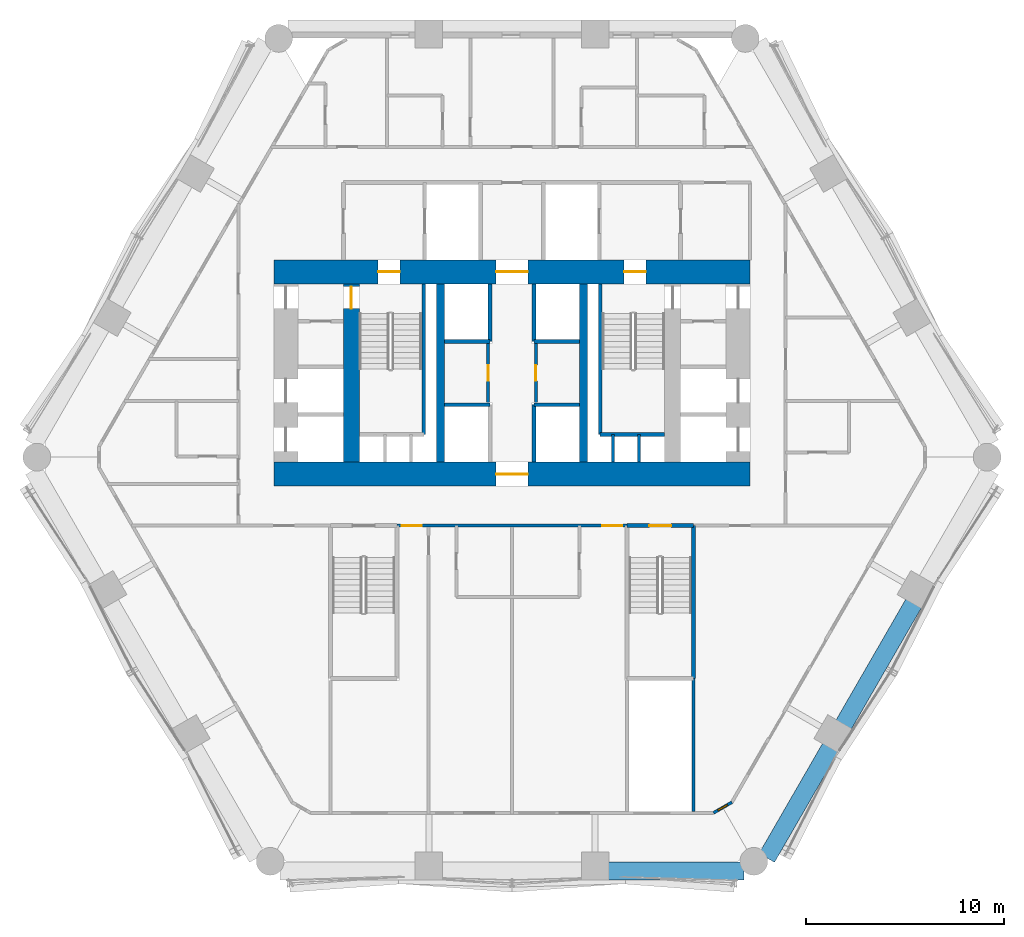
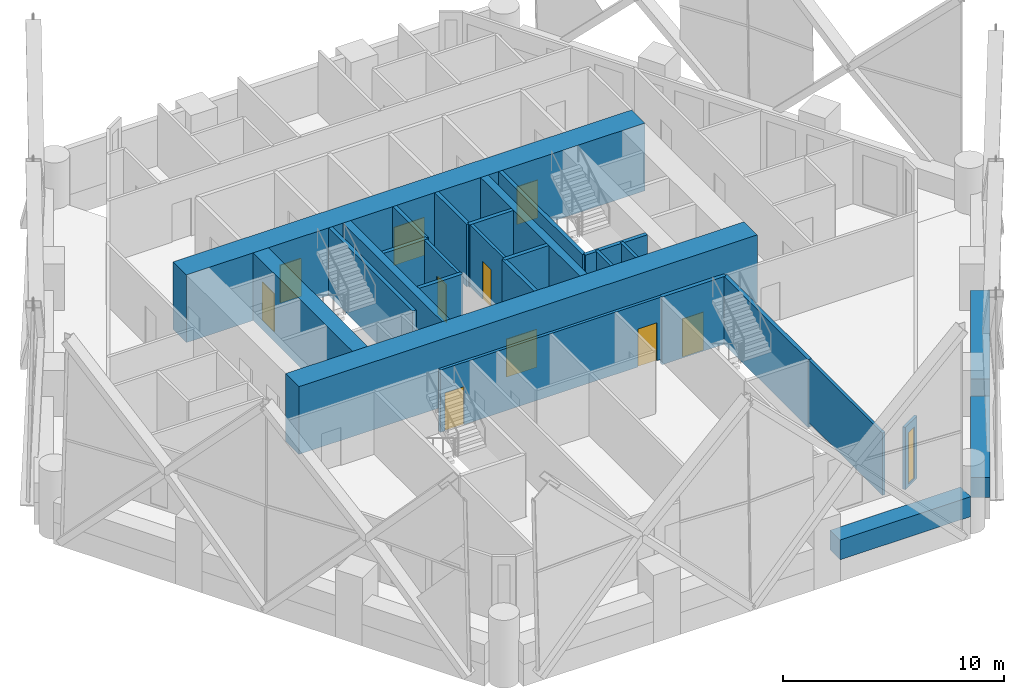
# One storey, part 12 of 22: 27 walls, 10 doors, 1 window, 11 openings.
"""IFC4 building model written with IfcOpenShell, lengths in metres."""

from ifc_helpers import new_model, si_unit, direction, frame, frame_2d, origin, place, context, subcontext, project, spatial, rectangle, extrude, material, layer, layer_set, type_object, element, fill, save


model = new_model("IFC4")

# Units and contexts
model_context = context("Model", 3, precision=1e-05, world=origin(), true_north=direction((0.0, 1.0)))
body_context = subcontext(model_context, "Body", "Model", "MODEL_VIEW")
ifc_project = project(units=[si_unit("LENGTHUNIT", "METRE"), si_unit("AREAUNIT", "SQUARE_METRE"), si_unit("VOLUMEUNIT", "CUBIC_METRE"), si_unit("PLANEANGLEUNIT", "RADIAN"), si_unit("MASSUNIT", "GRAM", prefix="KILO")], contexts=[model_context])

# Site, building, storey
site_placement = place(None, origin())
site = spatial("IfcSite", under=ifc_project, at=site_placement, CompositionType="ELEMENT")
building_placement = place(site_placement, origin())
building = spatial("IfcBuilding", under=site, at=building_placement, Name="Ostrander Bayou Hotel Tower", CompositionType="ELEMENT")
storey_placement = place(building_placement, frame((0.0, 0.0, 46.75)))
storey = spatial("IfcBuildingStorey", under=building, at=storey_placement, Name="L11", CompositionType="ELEMENT", Elevation=46.75)

# Wall, opening, door
ifc_material_1 = material(Name="Concrete f'c 70 MPa", Category="concrete")
ifc_layer_1 = layer(ifc_material_1, 1.199951171875)
ifc_layer_set_1 = layer_set([ifc_layer_1], Name="CW1 core wall 1200 mm f'c 70 MPa")
wall_type_1 = type_object("IfcWallType", Name="CW1 core wall 1200 mm f'c 70 MPa", PredefinedType="SHEAR", material=ifc_layer_set_1)
wall_1_placement = place(storey_placement, frame((-12.0, -1.10009765625, -0.300048828125), z_axis=(0.0, 0.0, 1.0), x_axis=(1.0, 0.0, 0.0)))
wall_1 = element("IfcWall", 1, at=wall_1_placement, inside=storey, type_object=wall_type_1, Name="CW1 L11 S", PredefinedType="SHEAR", context=body_context, shape_type="SweptSolid", body=[
    extrude(rectangle(XDim=24.0, YDim=1.199951171875, at=frame_2d((12.0, 0.0))), origin(), (0.0, 0.0, 1.0), 3.75),
])
opening_1_placement = place(wall_1_placement, frame((11.199951171875, 0.0, 0.0)))
opening_1 = element("IfcOpeningElement", 2, at=opening_1_placement, cuts=wall_1, Name="Opening T09-001", PredefinedType="OPENING", context=body_context, shape_type="SweptSolid", body=[
    extrude(rectangle(XDim=1.60009765625, YDim=2.10009765625, at=frame_2d((0.800048828125, 1.050048828125))), frame((0.0, 0.60009765625, 0.0), z_axis=(0.0, -1.0, 0.0), x_axis=(1.0, 0.0, 0.0)), (0.0, 0.0, 1.0), 1.199951171875),
])
ifc_material_2 = material(Name="Timber door leaf", Category="wood")
door_type_1 = type_object("IfcDoorType", Name="D13 double door 1600 x 2100 mm, 1 hour", OperationType="SINGLE_SWING_LEFT", PredefinedType="DOOR", material=ifc_material_2)
door_1_placement = place(opening_1_placement, origin())
door_1 = element("IfcDoor", 3, at=door_1_placement, inside=storey, type_object=door_type_1, Name="dr:L11:001", OperationType="DOUBLE_DOOR_SINGLE_SWING", OverallHeight=2.10009765625, OverallWidth=1.60009765625, PredefinedType="DOOR", context=body_context, shape_type="SweptSolid", body=[
    extrude(rectangle(XDim=1.60009765625, YDim=2.10009765625, at=frame_2d((0.800048828125, 1.050048828125))), frame((0.0, 0.02490234375, 0.0), z_axis=(0.0, -1.0, 0.0), x_axis=(1.0, 0.0, 0.0)), (0.0, 0.0, 1.0), 0.050048828125),
])
fill(opening_1, door_1)

# Wall, openings, doors
wall_2_placement = place(storey_placement, frame((-12.0, 9.10009765625, -0.300048828125), z_axis=(0.0, 0.0, 1.0), x_axis=(1.0, 0.0, 0.0)))
wall_2 = element("IfcWall", 4, at=wall_2_placement, inside=storey, type_object=wall_type_1, Name="CW1 L11 N", PredefinedType="SHEAR", context=body_context, shape_type="SweptSolid", body=[
    extrude(rectangle(XDim=24.0, YDim=1.199951171875, at=frame_2d((12.0, 0.0))), origin(), (0.0, 0.0, 1.0), 3.75),
])
opening_2_placement = place(wall_2_placement, frame((11.199951171875, 0.0, 0.0)))
opening_2 = element("IfcOpeningElement", 5, at=opening_2_placement, cuts=wall_2, Name="Opening T09-002", PredefinedType="OPENING", context=body_context, shape_type="SweptSolid", body=[
    extrude(rectangle(XDim=1.60009765625, YDim=2.10009765625, at=frame_2d((0.800048828125, 1.050048828125))), frame((0.0, 0.60009765625, 0.0), z_axis=(0.0, -1.0, 0.0), x_axis=(1.0, 0.0, 0.0)), (0.0, 0.0, 1.0), 1.199951171875),
])
opening_3_placement = place(wall_2_placement, frame((5.25, 0.0, 0.0)))
opening_3 = element("IfcOpeningElement", 6, at=opening_3_placement, cuts=wall_2, Name="Opening T09-003", PredefinedType="OPENING", context=body_context, shape_type="SweptSolid", body=[
    extrude(rectangle(XDim=1.10009765625, YDim=2.10009765625, at=frame_2d((0.550048828125, 1.050048828125))), frame((0.0, 0.60009765625, 0.0), z_axis=(0.0, -1.0, 0.0), x_axis=(1.0, 0.0, 0.0)), (0.0, 0.0, 1.0), 1.199951171875),
])
opening_4_placement = place(wall_2_placement, frame((17.64990234375, 0.0, 0.0)))
opening_4 = element("IfcOpeningElement", 7, at=opening_4_placement, cuts=wall_2, Name="Opening T09-005", PredefinedType="OPENING", context=body_context, shape_type="SweptSolid", body=[
    extrude(rectangle(XDim=1.10009765625, YDim=2.10009765625, at=frame_2d((0.550048828125, 1.050048828125))), frame((0.0, 0.60009765625, 0.0), z_axis=(0.0, -1.0, 0.0), x_axis=(1.0, 0.0, 0.0)), (0.0, 0.0, 1.0), 1.199951171875),
])
door_2_placement = place(opening_2_placement, origin())
door_2 = element("IfcDoor", 8, at=door_2_placement, inside=storey, type_object=door_type_1, Name="dr:L11:002", OperationType="DOUBLE_DOOR_SINGLE_SWING", OverallHeight=2.10009765625, OverallWidth=1.60009765625, PredefinedType="DOOR", context=body_context, shape_type="SweptSolid", body=[
    extrude(rectangle(XDim=1.60009765625, YDim=2.10009765625, at=frame_2d((0.800048828125, 1.050048828125))), frame((0.0, 0.02490234375, 0.0), z_axis=(0.0, -1.0, 0.0), x_axis=(1.0, 0.0, 0.0)), (0.0, 0.0, 1.0), 0.050048828125),
])
fill(opening_2, door_2)
ifc_material_3 = material(Name="Timber door leaf", Category="wood")
door_type_2 = type_object("IfcDoorType", Name="D5 stair door 1100 x 2100 mm, 90 minute", OperationType="SINGLE_SWING_LEFT", PredefinedType="DOOR", material=ifc_material_3)
door_3_placement = place(opening_3_placement, origin())
door_3 = element("IfcDoor", 9, at=door_3_placement, inside=storey, type_object=door_type_2, Name="dr:L11:003", OperationType="SINGLE_SWING_LEFT", OverallHeight=2.10009765625, OverallWidth=1.10009765625, PredefinedType="DOOR", context=body_context, shape_type="SweptSolid", body=[
    extrude(rectangle(XDim=1.10009765625, YDim=2.10009765625, at=frame_2d((0.550048828125, 1.050048828125))), frame((0.0, 0.02490234375, 0.0), z_axis=(0.0, -1.0, 0.0), x_axis=(1.0, 0.0, 0.0)), (0.0, 0.0, 1.0), 0.050048828125),
])
fill(opening_3, door_3)
door_4_placement = place(opening_4_placement, origin())
door_4 = element("IfcDoor", 10, at=door_4_placement, inside=storey, type_object=door_type_2, Name="dr:L11:005", OperationType="SINGLE_SWING_RIGHT", OverallHeight=2.10009765625, OverallWidth=1.10009765625, PredefinedType="DOOR", context=body_context, shape_type="SweptSolid", body=[
    extrude(rectangle(XDim=1.10009765625, YDim=2.10009765625, at=frame_2d((0.550048828125, 1.050048828125))), frame((0.0, 0.02490234375, 0.0), z_axis=(0.0, -1.0, 0.0), x_axis=(1.0, 0.0, 0.0)), (0.0, 0.0, 1.0), 0.050048828125),
])
fill(opening_4, door_4)

# Wall, opening, door
ifc_material_4 = material(Name="Concrete f'c 70 MPa", Category="concrete")
ifc_layer_2 = layer(ifc_material_4, 0.800048828125)
ifc_layer_set_2 = layer_set([ifc_layer_2], Name="CW2 core spine wall 800 mm f'c 70 MPa")
wall_type_2 = type_object("IfcWallType", Name="CW2 core spine wall 800 mm f'c 70 MPa", PredefinedType="SHEAR", material=ifc_layer_set_2)
wall_3_placement = place(storey_placement, frame((-8.10009765625, -0.5, -0.300048828125), z_axis=(0.0, 0.0, 1.0), x_axis=(0.0, 1.0, 0.0)))
wall_3 = element("IfcWall", 11, at=wall_3_placement, inside=storey, type_object=wall_type_2, Name="CW2 L11 W", PredefinedType="SHEAR", context=body_context, shape_type="SweptSolid", body=[
    extrude(rectangle(XDim=9.0, YDim=0.800048828125, at=frame_2d((4.5, 0.0))), origin(), (0.0, 0.0, 1.0), 3.75),
])
opening_5_placement = place(wall_3_placement, frame((7.75, 0.0, 0.0)))
opening_5 = element("IfcOpeningElement", 12, at=opening_5_placement, cuts=wall_3, Name="Opening T09-004", PredefinedType="OPENING", context=body_context, shape_type="SweptSolid", body=[
    extrude(rectangle(XDim=1.10009765625, YDim=2.10009765625, at=frame_2d((0.550048828125, 1.050048828125))), frame((0.0, 0.39990234375, 0.0), z_axis=(0.0, -1.0, 0.0), x_axis=(1.0, 0.0, 0.0)), (0.0, 0.0, 1.0), 0.800048828125),
])
door_5_placement = place(opening_5_placement, origin())
door_5 = element("IfcDoor", 13, at=door_5_placement, inside=storey, type_object=door_type_2, Name="dr:L11:004", OperationType="SINGLE_SWING_RIGHT", OverallHeight=2.10009765625, OverallWidth=1.10009765625, PredefinedType="DOOR", context=body_context, shape_type="SweptSolid", body=[
    extrude(rectangle(XDim=1.10009765625, YDim=2.10009765625, at=frame_2d((0.550048828125, 1.050048828125))), frame((0.0, 0.02490234375, 0.0), z_axis=(0.0, -1.0, 0.0), x_axis=(1.0, 0.0, 0.0)), (0.0, 0.0, 1.0), 0.050048828125),
])
fill(opening_5, door_5)

# Walls
ifc_material_5 = material(Name="Concrete f'c 70 MPa", Category="concrete")
ifc_layer_3 = layer(ifc_material_5, 0.39990234375)
ifc_layer_set_3 = layer_set([ifc_layer_3], Name="CW3 core bank wall 400 mm f'c 70 MPa")
wall_type_3 = type_object("IfcWallType", Name="CW3 core bank wall 400 mm f'c 70 MPa", PredefinedType="SHEAR", material=ifc_layer_set_3)
for number, where, z_axis, x_axis, name in (
    (14, (-3.60009765625, -0.5, -0.300048828125), (0.0, 0.0, 1.0), (0.0, 1.0, 0.0), "CW3 L11 CW"),
    (15, (3.60009765625, -0.5, -0.300048828125), (0.0, 0.0, 1.0), (0.0, 1.0, 0.0), "CW3 L11 CE"),
):
    element("IfcWall", number, at=place(storey_placement, frame(where, z_axis=z_axis, x_axis=x_axis)), inside=storey, type_object=wall_type_3, Name=name, PredefinedType="SHEAR", context=body_context, shape_type="SweptSolid", body=[
        extrude(rectangle(XDim=9.0, YDim=0.39990234375, at=frame_2d((4.5, 0.0))), origin(), (0.0, 0.0, 1.0), 3.75),
    ])

# Wall, opening, window
ifc_material_6 = material(Name="Aluminium framed insulated wall", Category="aluminium")
ifc_layer_4 = layer(ifc_material_6, 0.14990234375)
ifc_layer_set_4 = layer_set([ifc_layer_4], Name="GW1 glass-line wall 150 mm")
wall_type_4 = type_object("IfcWallType", Name="GW1 glass-line wall 150 mm", PredefinedType="SOLIDWALL", material=ifc_layer_set_4)
wall_4_placement = place(storey_placement, frame((10.16455078125, -18.179443359375, 0.0), z_axis=(0.0, 0.0, 1.0), x_axis=(0.866048165231, 0.499960573946, 0.0)))
wall_4 = element("IfcWall", 16, at=wall_4_placement, inside=storey, type_object=wall_type_4, Name="GW1 L11 corner 4", PredefinedType="SOLIDWALL", context=body_context, shape_type="SweptSolid", body=[
    extrude(rectangle(XDim=1.06494140625, YDim=0.14990234375, at=frame_2d((0.532470703125, 0.0))), origin(), (0.0, 0.0, 1.0), 3.449951171875),
])
opening_6_placement = place(wall_4_placement, frame((0.257568359375, 0.0, 0.14990234375)))
opening_6 = element("IfcOpeningElement", 17, at=opening_6_placement, cuts=wall_4, Name="Opening W19", PredefinedType="OPENING", context=body_context, shape_type="SweptSolid", body=[
    extrude(rectangle(XDim=0.550048828125, YDim=2.85009765625, at=frame_2d((0.27490234375, 1.425048828125))), frame((0.0, 0.074951171875, 0.0), z_axis=(0.0, -1.0, 0.0), x_axis=(1.0, 0.0, 0.0)), (0.0, 0.0, 1.0), 0.14990234375),
])
ifc_material_7 = material(Name="Aluminium and clear glass", Category="aluminium")
window_type = type_object("IfcWindowType", Name="W19 corner window 550 mm", PartitioningType="SINGLE_PANEL", PredefinedType="WINDOW", material=ifc_material_7)
window_placement = place(opening_6_placement, origin())
window = element("IfcWindow", 18, at=window_placement, inside=storey, type_object=window_type, Name="W19 L11 corner 4", OverallHeight=2.85009765625, OverallWidth=0.550048828125, PartitioningType="SINGLE_PANEL", PredefinedType="WINDOW", context=body_context, shape_type="SweptSolid", body=[
    extrude(rectangle(XDim=0.550048828125, YDim=2.85009765625, at=frame_2d((0.27490234375, 1.425048828125))), frame((0.0, 0.030029296875, 0.0), z_axis=(0.0, -1.0, 0.0), x_axis=(1.0, 0.0, 0.0)), (0.0, 0.0, 1.0), 0.06005859375),
])
fill(opening_6, window)

# Walls
ifc_material_8 = material(Name="Concrete f'c 40 MPa", Category="concrete")
ifc_layer_5 = layer(ifc_material_8, 0.89990234375)
ifc_layer_set_5 = layer_set([ifc_layer_5], Name="PA1 stone-faced parapet 900 mm")
wall_type_5 = type_object("IfcWallType", Name="PA1 stone-faced parapet 900 mm", PredefinedType="PARAPET", material=ifc_layer_set_5)
wall_5_placement = place(storey_placement, frame((4.865478515625, -21.1044921875, 0.0), z_axis=(0.0, 0.0, 1.0), x_axis=(1.0, 0.0, 0.0)))
element("IfcWall", 19, at=wall_5_placement, inside=storey, type_object=wall_type_5, Name="PA1 L11 S-3", PredefinedType="PARAPET", context=body_context, shape_type="SweptSolid", body=[
    extrude(rectangle(XDim=6.84521484375, YDim=0.89990234375, at=frame_2d((3.422607421875, 0.0))), origin(), (0.0, 0.0, 1.0), 1.10009765625),
])
ifc_material_9 = material(Name="Limestone masonry", Category="masonry")
ifc_layer_6 = layer(ifc_material_9, 0.89990234375)
ifc_layer_set_6 = layer_set([ifc_layer_6], Name="PA2 limestone parapet 900 mm")
wall_type_6 = type_object("IfcWallType", Name="PA2 limestone parapet 900 mm", PredefinedType="PARAPET", material=ifc_layer_set_6)
wall_6_placement = place(storey_placement, frame((12.846923828125, -20.448486328125, 0.0), z_axis=(0.0, 0.0, 1.0), x_axis=(0.500000066162, 0.866025365586, 0.0)))
element("IfcWall", 20, at=wall_6_placement, inside=storey, type_object=wall_type_6, Name="PA2 L11 SE-1", PredefinedType="PARAPET", context=body_context, shape_type="SweptSolid", body=[
    extrude(rectangle(XDim=6.419921875, YDim=0.89990234375, at=frame_2d((3.2099609375, 0.0))), origin(), (0.0, 0.0, 1.0), 1.10009765625),
])
wall_7_placement = place(storey_placement, frame((16.726806640625, -13.72802734375, 0.0), z_axis=(0.0, 0.0, 1.0), x_axis=(0.499997206141, 0.866027016814, 0.0)))
element("IfcWall", 21, at=wall_7_placement, inside=storey, type_object=wall_type_6, Name="PA2 L11 SE-2", PredefinedType="PARAPET", context=body_context, shape_type="SweptSolid", body=[
    extrude(rectangle(XDim=7.05078125, YDim=0.89990234375, at=frame_2d((3.525390625, 0.0))), origin(), (0.0, 0.0, 1.0), 1.10009765625),
])
ifc_material_10 = material(Name="Masonry block", Category="masonry")
ifc_layer_7 = layer(ifc_material_10, 0.199951171875)
ifc_layer_set_7 = layer_set([ifc_layer_7], Name="PT6 lift shaft wall 200 mm masonry, 2 hour")
wall_type_7 = type_object("IfcWallType", Name="PT6 lift shaft wall 200 mm masonry, 2 hour", PredefinedType="PARTITIONING", material=ifc_layer_set_7)
for number, where, z_axis, x_axis, name in (
    (22, (-3.39990234375, 2.39990234375, 0.0), (0.0, 0.0, 1.0), (1.0, 0.0, 0.0), "cs:L11:001"),
    (23, (-3.39990234375, 5.60009765625, 0.0), (0.0, 0.0, 1.0), (1.0, 0.0, 0.0), "cs:L11:002"),
    (24, (1.10009765625, 2.39990234375, 0.0), (0.0, 0.0, 1.0), (1.0, 0.0, 0.0), "cs:L11:003"),
    (25, (1.10009765625, 5.60009765625, 0.0), (0.0, 0.0, 1.0), (1.0, 0.0, 0.0), "cs:L11:004"),
):
    element("IfcWall", number, at=place(storey_placement, frame(where, z_axis=z_axis, x_axis=x_axis)), inside=storey, type_object=wall_type_7, Name=name, PredefinedType="PARTITIONING", context=body_context, shape_type="SweptSolid", body=[
        extrude(rectangle(XDim=2.2998046875, YDim=0.199951171875, at=frame_2d((1.14990234375, 0.0))), origin(), (0.0, 0.0, 1.0), 3.449951171875),
    ])
for number, where, z_axis, x_axis, name in (
    (26, (1.10009765625, -0.5, 0.0), (0.0, 0.0, 1.0), (0.0, 1.0, 0.0), "cs:L11:006"),
    (27, (-1.10009765625, 5.60009765625, 0.0), (0.0, 0.0, 1.0), (0.0, 1.0, 0.0), "cs:L11:007"),
    (28, (1.10009765625, 5.60009765625, 0.0), (0.0, 0.0, 1.0), (0.0, 1.0, 0.0), "cs:L11:008"),
):
    element("IfcWall", number, at=place(storey_placement, frame(where, z_axis=z_axis, x_axis=x_axis)), inside=storey, type_object=wall_type_7, Name=name, PredefinedType="PARTITIONING", context=body_context, shape_type="SweptSolid", body=[
        extrude(rectangle(XDim=2.89990234375, YDim=0.199951171875, at=frame_2d((1.449951171875, 0.0))), origin(), (0.0, 0.0, 1.0), 3.449951171875),
    ])
ifc_material_11 = material(Name="Gypsum board partition", Category="finish")
ifc_layer_8 = layer(ifc_material_11, 0.14990234375)
ifc_layer_set_8 = layer_set([ifc_layer_8], Name="PT7 riser wall 150 mm, 2 hour")
wall_type_8 = type_object("IfcWallType", Name="PT7 riser wall 150 mm, 2 hour", PredefinedType="PARTITIONING", material=ifc_layer_set_8)
for number, where, z_axis, x_axis, name in (
    (29, (5.10009765625, -0.5, 0.0), (0.0, 0.0, 1.0), (0.0, 1.0, 0.0), "cs:L11:015"),
    (30, (6.39990234375, -0.5, 0.0), (0.0, 0.0, 1.0), (0.0, 1.0, 0.0), "cs:L11:016"),
):
    element("IfcWall", number, at=place(storey_placement, frame(where, z_axis=z_axis, x_axis=x_axis)), inside=storey, type_object=wall_type_8, Name=name, PredefinedType="PARTITIONING", context=body_context, shape_type="SweptSolid", body=[
        extrude(rectangle(XDim=1.39990234375, YDim=0.14990234375, at=frame_2d((0.699951171875, 0.0))), origin(), (0.0, 0.0, 1.0), 3.449951171875),
    ])
wall_8_placement = place(storey_placement, frame((9.14990234375, -11.39990234375, 0.0), z_axis=(0.0, 0.0, 1.0), x_axis=(0.0, -1.0, 0.0)))
element("IfcWall", 31, at=wall_8_placement, inside=storey, type_object=wall_type_8, Name="cs:L11:022", PredefinedType="PARTITIONING", context=body_context, shape_type="SweptSolid", body=[
    extrude(rectangle(XDim=6.70458984375, YDim=0.14990234375, at=frame_2d((3.352294921875, 0.0))), origin(), (0.0, 0.0, 1.0), 3.449951171875),
])

# Wall, opening, door
wall_9_placement = place(storey_placement, frame((-1.199951171875, 2.5, 0.0), z_axis=(0.0, 0.0, 1.0), x_axis=(0.0, 1.0, 0.0)))
wall_9 = element("IfcWall", 32, at=wall_9_placement, inside=storey, type_object=wall_type_8, Name="cs:L11:034", PredefinedType="PARTITIONING", context=body_context, shape_type="SweptSolid", body=[
    extrude(rectangle(XDim=3.0, YDim=0.14990234375, at=frame_2d((1.5, 0.0))), origin(), (0.0, 0.0, 1.0), 3.449951171875),
])
opening_7_placement = place(wall_9_placement, frame((1.10009765625, 0.0, 0.0)))
opening_7 = element("IfcOpeningElement", 33, at=opening_7_placement, cuts=wall_9, Name="Opening T09-014", PredefinedType="OPENING", context=body_context, shape_type="SweptSolid", body=[
    extrude(rectangle(XDim=0.800048828125, YDim=2.10009765625, at=frame_2d((0.39990234375, 1.050048828125))), frame((0.0, 0.074951171875, 0.0), z_axis=(0.0, -1.0, 0.0), x_axis=(1.0, 0.0, 0.0)), (0.0, 0.0, 1.0), 0.14990234375),
])
ifc_material_12 = material(Name="Timber door leaf", Category="wood")
door_type_3 = type_object("IfcDoorType", Name="D6 riser door 800 x 2100 mm, 90 minute", OperationType="SINGLE_SWING_LEFT", PredefinedType="DOOR", material=ifc_material_12)
door_6_placement = place(opening_7_placement, origin())
door_6 = element("IfcDoor", 34, at=door_6_placement, inside=storey, type_object=door_type_3, Name="dr:L11:014", OperationType="SINGLE_SWING_LEFT", OverallHeight=2.10009765625, OverallWidth=0.800048828125, PredefinedType="DOOR", context=body_context, shape_type="SweptSolid", body=[
    extrude(rectangle(XDim=0.800048828125, YDim=2.10009765625, at=frame_2d((0.39990234375, 1.050048828125))), frame((0.0, 0.02490234375, 0.0), z_axis=(0.0, -1.0, 0.0), x_axis=(1.0, 0.0, 0.0)), (0.0, 0.0, 1.0), 0.050048828125),
])
fill(opening_7, door_6)

wall_10_placement = place(storey_placement, frame((1.199951171875, 2.5, 0.0), z_axis=(0.0, 0.0, 1.0), x_axis=(0.0, 1.0, 0.0)))
wall_10 = element("IfcWall", 35, at=wall_10_placement, inside=storey, type_object=wall_type_8, Name="cs:L11:035", PredefinedType="PARTITIONING", context=body_context, shape_type="SweptSolid", body=[
    extrude(rectangle(XDim=3.0, YDim=0.14990234375, at=frame_2d((1.5, 0.0))), origin(), (0.0, 0.0, 1.0), 3.449951171875),
])
opening_8_placement = place(wall_10_placement, frame((1.10009765625, 0.0, 0.0)))
opening_8 = element("IfcOpeningElement", 36, at=opening_8_placement, cuts=wall_10, Name="Opening T09-015", PredefinedType="OPENING", context=body_context, shape_type="SweptSolid", body=[
    extrude(rectangle(XDim=0.800048828125, YDim=2.10009765625, at=frame_2d((0.39990234375, 1.050048828125))), frame((0.0, 0.074951171875, 0.0), z_axis=(0.0, -1.0, 0.0), x_axis=(1.0, 0.0, 0.0)), (0.0, 0.0, 1.0), 0.14990234375),
])
door_7_placement = place(opening_8_placement, origin())
door_7 = element("IfcDoor", 37, at=door_7_placement, inside=storey, type_object=door_type_3, Name="dr:L11:015", OperationType="SINGLE_SWING_RIGHT", OverallHeight=2.10009765625, OverallWidth=0.800048828125, PredefinedType="DOOR", context=body_context, shape_type="SweptSolid", body=[
    extrude(rectangle(XDim=0.800048828125, YDim=2.10009765625, at=frame_2d((0.39990234375, 1.050048828125))), frame((0.0, 0.02490234375, 0.0), z_axis=(0.0, -1.0, 0.0), x_axis=(1.0, 0.0, 0.0)), (0.0, 0.0, 1.0), 0.050048828125),
])
fill(opening_8, door_7)

# Wall, openings, doors
ifc_material_13 = material(Name="Gypsum board partition", Category="finish")
ifc_layer_9 = layer(ifc_material_13, 0.14990234375)
ifc_layer_set_9 = layer_set([ifc_layer_9], Name="PT8 service band wall 150 mm, 1 hour")
wall_type_9 = type_object("IfcWallType", Name="PT8 service band wall 150 mm, 1 hour", PredefinedType="PARTITIONING", material=ifc_layer_set_9)
wall_11_placement = place(storey_placement, frame((-5.7900390625, -3.699951171875, 0.0), z_axis=(0.0, 0.0, 1.0), x_axis=(1.0, 0.0, 0.0)))
wall_11 = element("IfcWall", 38, at=wall_11_placement, inside=storey, type_object=wall_type_9, Name="gw:L11:003", PredefinedType="PARTITIONING", context=body_context, shape_type="SweptSolid", body=[
    extrude(rectangle(XDim=11.580078125, YDim=0.14990234375, at=frame_2d((5.7900390625, 0.0))), origin(), (0.0, 0.0, 1.0), 3.449951171875),
])
opening_9_placement = place(wall_11_placement, frame((0.239990234375, 0.0, 0.0)))
opening_9 = element("IfcOpeningElement", 39, at=opening_9_placement, cuts=wall_11, Name="Opening T09-400", PredefinedType="OPENING", context=body_context, shape_type="SweptSolid", body=[
    extrude(rectangle(XDim=1.0, YDim=2.10009765625, at=frame_2d((0.5, 1.050048828125))), frame((0.0, 0.074951171875, 0.0), z_axis=(0.0, -1.0, 0.0), x_axis=(1.0, 0.0, 0.0)), (0.0, 0.0, 1.0), 0.14990234375),
])
opening_10_placement = place(wall_11_placement, frame((10.340087890625, 0.0, 0.0)))
opening_10 = element("IfcOpeningElement", 40, at=opening_10_placement, cuts=wall_11, Name="Opening T09-404", PredefinedType="OPENING", context=body_context, shape_type="SweptSolid", body=[
    extrude(rectangle(XDim=1.0, YDim=2.10009765625, at=frame_2d((0.5, 1.050048828125))), frame((0.0, 0.074951171875, 0.0), z_axis=(0.0, -1.0, 0.0), x_axis=(1.0, 0.0, 0.0)), (0.0, 0.0, 1.0), 0.14990234375),
])
ifc_material_14 = material(Name="Timber door leaf", Category="wood")
door_type_4 = type_object("IfcDoorType", Name="D1 guest room door 1000 x 2100 mm, 30 minute", OperationType="SINGLE_SWING_LEFT", PredefinedType="DOOR", material=ifc_material_14)
door_8_placement = place(opening_9_placement, origin())
door_8 = element("IfcDoor", 41, at=door_8_placement, inside=storey, type_object=door_type_4, Name="dr:L11:400", OperationType="SINGLE_SWING_LEFT", OverallHeight=2.10009765625, OverallWidth=1.0, PredefinedType="DOOR", context=body_context, shape_type="SweptSolid", body=[
    extrude(rectangle(XDim=1.0, YDim=2.10009765625, at=frame_2d((0.5, 1.050048828125))), frame((0.0, 0.02490234375, 0.0), z_axis=(0.0, -1.0, 0.0), x_axis=(1.0, 0.0, 0.0)), (0.0, 0.0, 1.0), 0.050048828125),
])
fill(opening_9, door_8)
door_9_placement = place(opening_10_placement, origin())
door_9 = element("IfcDoor", 42, at=door_9_placement, inside=storey, type_object=door_type_4, Name="dr:L11:404", OperationType="SINGLE_SWING_RIGHT", OverallHeight=2.10009765625, OverallWidth=1.0, PredefinedType="DOOR", context=body_context, shape_type="SweptSolid", body=[
    extrude(rectangle(XDim=1.0, YDim=2.10009765625, at=frame_2d((0.5, 1.050048828125))), frame((0.0, 0.02490234375, 0.0), z_axis=(0.0, -1.0, 0.0), x_axis=(1.0, 0.0, 0.0)), (0.0, 0.0, 1.0), 0.050048828125),
])
fill(opening_10, door_9)

# Walls
ifc_material_15 = material(Name="Concrete f'c 45 MPa", Category="concrete")
ifc_layer_10 = layer(ifc_material_15, 0.199951171875)
ifc_layer_set_10 = layer_set([ifc_layer_10], Name="SW5 stair enclosure wall 200 mm f'c 45 MPa")
wall_type_10 = type_object("IfcWallType", Name="SW5 stair enclosure wall 200 mm f'c 45 MPa", PredefinedType="SOLIDWALL", material=ifc_layer_set_10)
for number, where, z_axis, x_axis, name in (
    (43, (-4.449951171875, 0.89990234375, -0.300048828125), (0.0, 0.0, 1.0), (0.0, 1.0, 0.0), "cs:L11:009"),
    (44, (4.449951171875, 0.89990234375, -0.300048828125), (0.0, 0.0, 1.0), (0.0, 1.0, 0.0), "cs:L11:013"),
):
    element("IfcWall", number, at=place(storey_placement, frame(where, z_axis=z_axis, x_axis=x_axis)), inside=storey, type_object=wall_type_10, Name=name, PredefinedType="SOLIDWALL", context=body_context, shape_type="SweptSolid", body=[
        extrude(rectangle(XDim=7.60009765625, YDim=0.199951171875, at=frame_2d((3.800048828125, 0.0))), origin(), (0.0, 0.0, 1.0), 3.75),
    ])
wall_12_placement = place(storey_placement, frame((4.449951171875, 0.89990234375, -0.300048828125), z_axis=(0.0, 0.0, 1.0), x_axis=(1.0, 0.0, 0.0)))
element("IfcWall", 45, at=wall_12_placement, inside=storey, type_object=wall_type_10, Name="cs:L11:014", PredefinedType="SOLIDWALL", context=body_context, shape_type="SweptSolid", body=[
    extrude(rectangle(XDim=3.25, YDim=0.199951171875, at=frame_2d((1.625, 0.0))), origin(), (0.0, 0.0, 1.0), 3.75),
])

# Wall, opening, door
wall_13_placement = place(storey_placement, frame((5.800048828125, -3.699951171875, -0.300048828125), z_axis=(0.0, 0.0, 1.0), x_axis=(1.0, 0.0, 0.0)))
wall_13 = element("IfcWall", 46, at=wall_13_placement, inside=storey, type_object=wall_type_10, Name="cs:L11:017", PredefinedType="SOLIDWALL", context=body_context, shape_type="SweptSolid", body=[
    extrude(rectangle(XDim=3.349853515625, YDim=0.199951171875, at=frame_2d((1.6748046875, 0.0))), origin(), (0.0, 0.0, 1.0), 3.75),
])
opening_11_placement = place(wall_13_placement, frame((1.125, 0.0, 0.0)))
opening_11 = element("IfcOpeningElement", 47, at=opening_11_placement, cuts=wall_13, Name="Opening T09-007", PredefinedType="OPENING", context=body_context, shape_type="SweptSolid", body=[
    extrude(rectangle(XDim=1.10009765625, YDim=2.10009765625, at=frame_2d((0.550048828125, 1.050048828125))), frame((0.0, 0.10009765625, 0.0), z_axis=(0.0, -1.0, 0.0), x_axis=(1.0, 0.0, 0.0)), (0.0, 0.0, 1.0), 0.199951171875),
])
door_10_placement = place(opening_11_placement, origin())
door_10 = element("IfcDoor", 48, at=door_10_placement, inside=storey, type_object=door_type_2, Name="dr:L11:007", OperationType="SINGLE_SWING_LEFT", OverallHeight=2.10009765625, OverallWidth=1.10009765625, PredefinedType="DOOR", context=body_context, shape_type="SweptSolid", body=[
    extrude(rectangle(XDim=1.10009765625, YDim=2.10009765625, at=frame_2d((0.550048828125, 1.050048828125))), frame((0.0, 0.02490234375, 0.0), z_axis=(0.0, -1.0, 0.0), x_axis=(1.0, 0.0, 0.0)), (0.0, 0.0, 1.0), 0.050048828125),
])
fill(opening_11, door_10)

# Wall
wall_14_placement = place(storey_placement, frame((9.14990234375, -3.699951171875, -0.300048828125), z_axis=(0.0, 0.0, 1.0), x_axis=(0.0, -1.0, 0.0)))
element("IfcWall", 49, at=wall_14_placement, inside=storey, type_object=wall_type_10, Name="cs:L11:019", PredefinedType="SOLIDWALL", context=body_context, shape_type="SweptSolid", body=[
    extrude(rectangle(XDim=7.699951171875, YDim=0.199951171875, at=frame_2d((3.85009765625, 0.0))), origin(), (0.0, 0.0, 1.0), 3.75),
])

save(model, "model.ifc")
